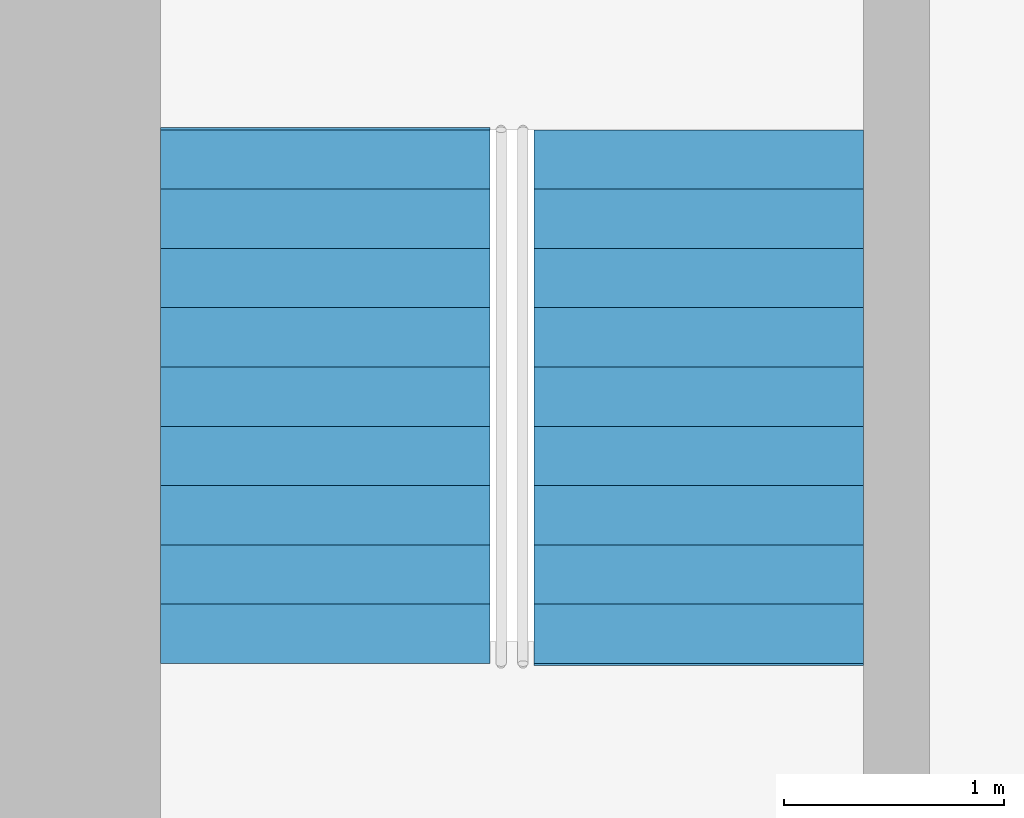
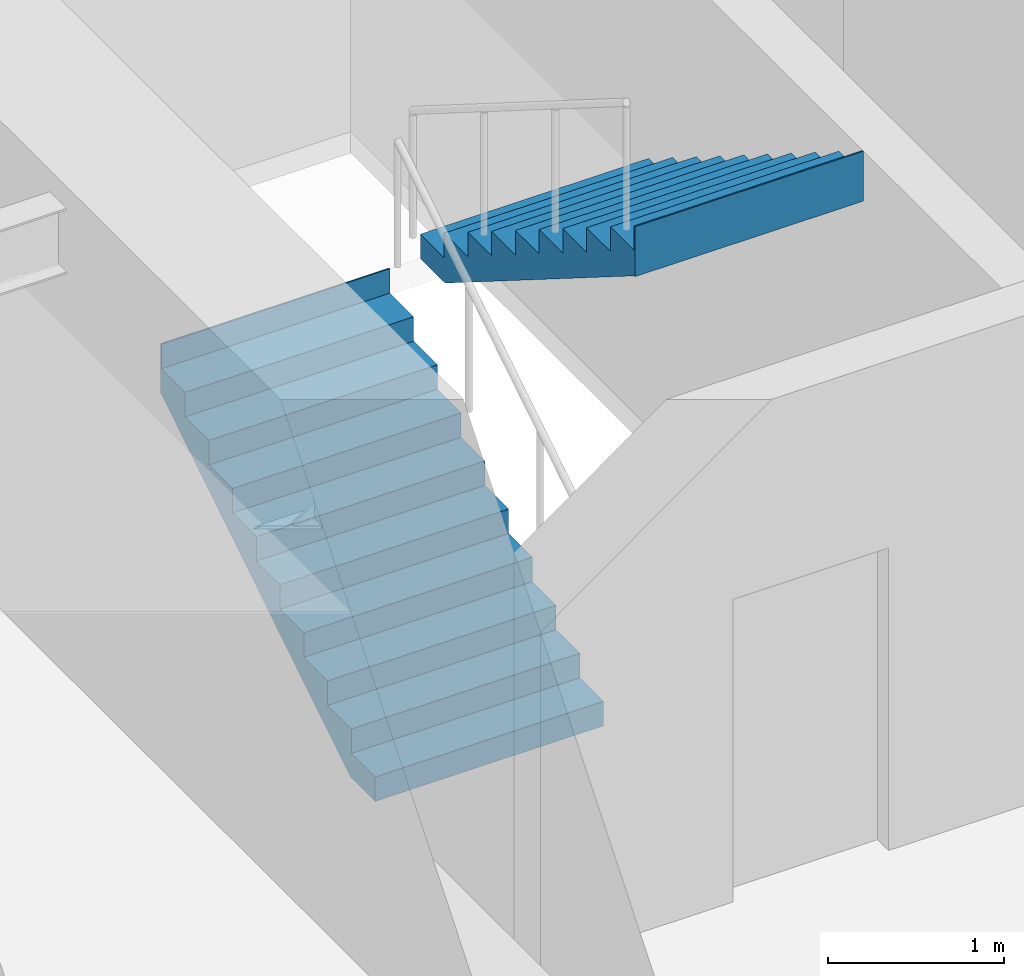
# One storey, part 13 of 14: 2 stair flights, 1 element without a shape of its own.
"""IFC4 building model written with IfcOpenShell, lengths in metres."""

from ifc_helpers import new_model, si_unit, direction, frame, origin, place, context, subcontext, project, spatial, polyline, outline, extrude, material, type_object, element, aggregate, save


model = new_model("IFC4")

# Units and contexts
model_context = context("Model", 3, precision=1e-05, world=origin(), true_north=direction((0.0, 1.0)))
body_context = subcontext(model_context, "Body", "Model", "MODEL_VIEW")
ifc_project = project(units=[si_unit("LENGTHUNIT", "METRE"), si_unit("AREAUNIT", "SQUARE_METRE"), si_unit("VOLUMEUNIT", "CUBIC_METRE"), si_unit("PLANEANGLEUNIT", "RADIAN"), si_unit("MASSUNIT", "GRAM", prefix="KILO")], contexts=[model_context])

# Site, building, storey
site_placement = place(None, origin())
site = spatial("IfcSite", under=ifc_project, at=site_placement, CompositionType="ELEMENT")
building_placement = place(site_placement, origin())
building = spatial("IfcBuilding", under=site, at=building_placement, Name="Torsade Residences", CompositionType="ELEMENT")
storey_placement = place(building_placement, frame((0.0, 0.0, 121.800048828125)))
storey = spatial("IfcBuildingStorey", under=building, at=storey_placement, Name="L33", CompositionType="ELEMENT", Elevation=121.800048828125)

# Stair, stair flights
ifc_material_1 = material(Name="Precast concrete 40 MPa", Category="concrete")
stair_type = type_object("IfcStairType", Name="HALF-TURN FIRE STAIR 1500x3400", PredefinedType="HALF_TURN_STAIR", material=ifc_material_1)
stair_placement = place(storey_placement, origin())
stair = element("IfcStair", 1, at=stair_placement, inside=storey, type_object=stair_type, Name="Stair ST1 L33", PredefinedType="HALF_TURN_STAIR")
ifc_material_2 = material(Name="Precast concrete 40 MPa", Category="concrete")
stair_flight_type = type_object("IfcStairFlightType", Name="PRECAST STAIR FLIGHT 1500x1700", PredefinedType="STRAIGHT", material=ifc_material_2)
stair_flight_1_placement = place(storey_placement, frame((29.550048828125, 33.780029296875, 0.0), z_axis=(0.0, 0.0, 1.0), x_axis=(0.0, 1.0, 0.0)))
stair_flight_1 = element("IfcStairFlight", 2, at=stair_flight_1_placement, type_object=stair_flight_type, Name="ST1 flight 1", NumberOfRisers=10, NumberOfTreads=9, PredefinedType="STRAIGHT", RiserHeight=0.17, TreadLength=0.27, context=body_context, shape_type="SweptSolid", body=[
    extrude(outline(polyline([(0.0, 0.0), (0.0, 0.169921875), (0.27001953125, 0.169921875), (0.27001953125, 0.340087890625), (0.5400390625, 0.340087890625), (0.5400390625, 0.510009765625), (0.81005859375, 0.510009765625), (0.81005859375, 0.679931640625), (1.080078125, 0.679931640625), (1.080078125, 0.85009765625), (1.35009765625, 0.85009765625), (1.35009765625, 1.02001953125), (1.6201171875, 1.02001953125), (1.6201171875, 1.18994140625), (1.889892578125, 1.18994140625), (1.889892578125, 1.360107421875), (2.159912109375, 1.360107421875), (2.159912109375, 1.530029296875), (2.429931640625, 1.530029296875), (2.429931640625, 1.699951171875), (2.43994140625, 1.699951171875), (2.43994140625, 1.352783203125), (2.429931640625, 1.352783203125), (0.28125, 0.0), (0.0, 0.0)])), frame((0.0, 0.75, 0.0), z_axis=(0.0, -1.0, 0.0), x_axis=(1.0, 0.0, 0.0)), (0.0, 0.0, 1.0), 1.5),
])
stair_flight_2_placement = place(storey_placement, frame((31.25, 36.2099609375, 1.699951171875), z_axis=(0.0, 0.0, 1.0), x_axis=(0.0, -1.0, 0.0)))
stair_flight_2 = element("IfcStairFlight", 3, at=stair_flight_2_placement, type_object=stair_flight_type, Name="ST1 flight 2", NumberOfRisers=10, NumberOfTreads=9, PredefinedType="STRAIGHT", RiserHeight=0.17, TreadLength=0.27, context=body_context, shape_type="SweptSolid", body=[
    extrude(outline(polyline([(0.0, 0.0), (0.0, 0.169921875), (0.27001953125, 0.169921875), (0.27001953125, 0.340087890625), (0.5400390625, 0.340087890625), (0.5400390625, 0.510009765625), (0.81005859375, 0.510009765625), (0.81005859375, 0.679931640625), (1.080078125, 0.679931640625), (1.080078125, 0.85009765625), (1.35009765625, 0.85009765625), (1.35009765625, 1.02001953125), (1.6201171875, 1.02001953125), (1.6201171875, 1.18994140625), (1.889892578125, 1.18994140625), (1.889892578125, 1.360107421875), (2.159912109375, 1.360107421875), (2.159912109375, 1.530029296875), (2.429931640625, 1.530029296875), (2.429931640625, 1.699951171875), (2.43994140625, 1.699951171875), (2.43994140625, 1.352783203125), (2.429931640625, 1.352783203125), (0.28125, 0.0), (0.0, 0.0)])), frame((0.0, 0.75, 0.0), z_axis=(0.0, -1.0, 0.0), x_axis=(1.0, 0.0, 0.0)), (0.0, 0.0, 1.0), 1.5),
])
aggregate(stair, [stair_flight_1, stair_flight_2])

save(model, "model.ifc")
